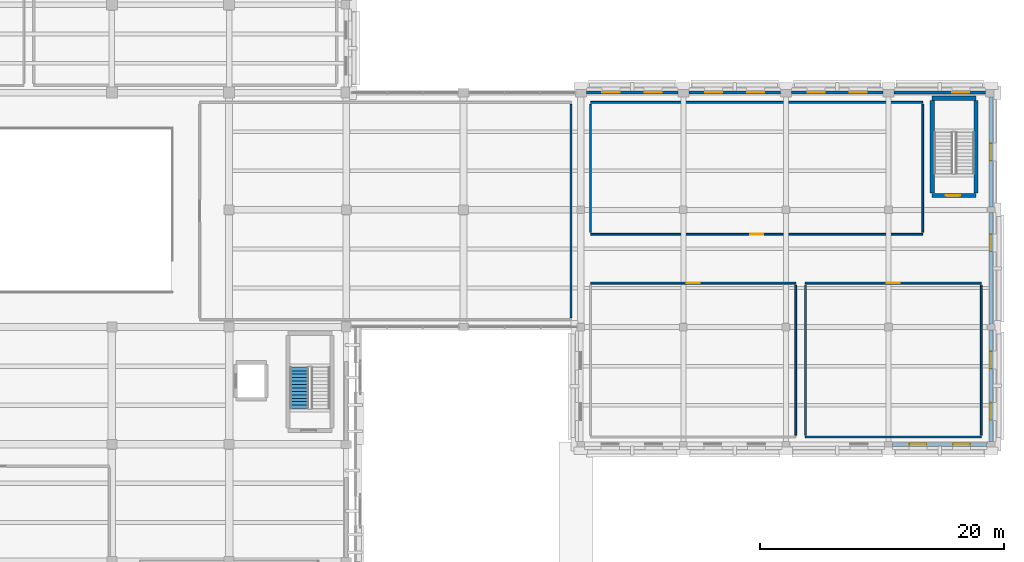
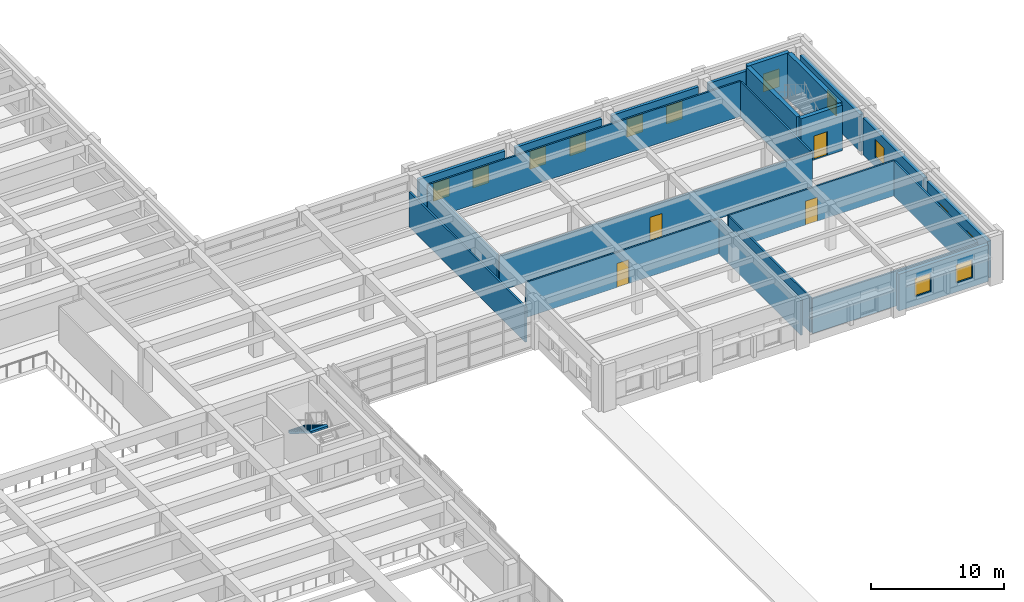
# One storey, part 36 of 49: 23 walls, 13 windows, 4 doors, 1 stair flight, 17 openings, 1 element without a shape of its own.
"""IFC4 building model written with IfcOpenShell, lengths in metres."""

from ifc_helpers import new_model, si_unit, direction, frame, frame_2d, origin, place, context, subcontext, project, spatial, polyline, rectangle, outline, extrude, material, layer, layer_set, type_object, element, fill, aggregate, save


model = new_model("IFC4")

# Units and contexts
model_context = context("Model", 3, precision=1e-05, world=origin(), true_north=direction((0.0, 1.0)))
body_context = subcontext(model_context, "Body", "Model", "MODEL_VIEW")
ifc_project = project(units=[si_unit("LENGTHUNIT", "METRE"), si_unit("AREAUNIT", "SQUARE_METRE"), si_unit("VOLUMEUNIT", "CUBIC_METRE"), si_unit("PLANEANGLEUNIT", "RADIAN"), si_unit("MASSUNIT", "GRAM", prefix="KILO")], contexts=[model_context])

# Site, building, storey
site_placement = place(None, origin())
site = spatial("IfcSite", under=ifc_project, at=site_placement, CompositionType="ELEMENT")
building_placement = place(site_placement, origin())
building = spatial("IfcBuilding", under=site, at=building_placement, Name="Bempovik Park Faculty of Sciences", CompositionType="ELEMENT")
storey_placement = place(building_placement, frame((0.0, 0.0, 5.39990234375)))
storey = spatial("IfcBuildingStorey", under=building, at=storey_placement, Name="L01", CompositionType="ELEMENT", Elevation=5.39990234375)

# Wall
ifc_material_1 = material(Name="Gypsum acoustic stud assembly")
ifc_layer_1 = layer(ifc_material_1, 0.14990234375)
ifc_layer_set_1 = layer_set([ifc_layer_1], Name="Gypsum acoustic stud assembly")
wall_type_1 = type_object("IfcWallType", Name="W-42 Wall 150mm", PredefinedType="PARTITIONING", material=ifc_layer_set_1)
wall_1_placement = place(storey_placement, frame((136.0, 68.56005859375, 0.0), z_axis=(0.0, 0.0, 1.0), x_axis=(0.0, 1.0, 0.0)))
element("IfcWall", 1, at=wall_1_placement, inside=storey, type_object=wall_type_1, Name="L01 Atrium Concourse Study Gallery East Partition East", PredefinedType="PARTITIONING", context=body_context, shape_type="SweptSolid", body=[
    extrude(rectangle(XDim=17.47998046875, YDim=0.14990234375, at=frame_2d((8.739990234375, 0.0))), origin(), (0.0, 0.0, 1.0), 3.22021484375),
])

# Wall, opening, door
wall_2_placement = place(storey_placement, frame((137.60009765625, 71.39990234375, 0.0), z_axis=(0.0, 0.0, 1.0), x_axis=(1.0, 0.0, 0.0)))
wall_2 = element("IfcWall", 2, at=wall_2_placement, inside=storey, type_object=wall_type_1, Name="L01 East Wing Seminar Room A Partition North", PredefinedType="PARTITIONING", context=body_context, shape_type="SweptSolid", body=[
    extrude(rectangle(XDim=16.7998046875, YDim=0.14990234375, at=frame_2d((8.39990234375, 0.0))), origin(), (0.0, 0.0, 1.0), 3.22021484375),
])
opening_1_placement = place(wall_2_placement, frame((7.875, 0.0, 0.0)))
opening_1 = element("IfcOpeningElement", 3, at=opening_1_placement, cuts=wall_2, Name="Opening D-16", PredefinedType="OPENING", context=body_context, shape_type="SweptSolid", body=[
    extrude(rectangle(XDim=1.050048828125, YDim=2.199951171875, at=frame_2d((0.52490234375, 1.10009765625))), frame((0.0, 0.0849609375, 0.0), z_axis=(0.0, -1.0, 0.0), x_axis=(1.0, 0.0, 0.0)), (0.0, 0.0, 1.0), 0.169921875),
])
ifc_material_2 = material(Name="West African hardwood finish", Category="wood")
door_type_1 = type_object("IfcDoorType", Name="D-16 Door 1050x2200", OperationType="NOTDEFINED", PredefinedType="DOOR", material=ifc_material_2)
door_1_placement = place(opening_1_placement, origin())
door_1 = element("IfcDoor", 4, at=door_1_placement, inside=storey, type_object=door_type_1, Name="L01 East Wing Seminar Room A Door", OperationType="SINGLE_SWING_RIGHT", OverallHeight=2.199951171875, OverallWidth=1.050048828125, PredefinedType="DOOR", context=body_context, shape_type="SweptSolid", body=[
    extrude(rectangle(XDim=1.050048828125, YDim=2.199951171875, at=frame_2d((0.52490234375, 1.10009765625))), frame((0.0, 0.02490234375, 0.0), z_axis=(0.0, -1.0, 0.0), x_axis=(1.0, 0.0, 0.0)), (0.0, 0.0, 1.0), 0.050048828125),
])
fill(opening_1, door_1)

# Walls
wall_3_placement = place(storey_placement, frame((154.39990234375, 58.9599609375, 0.0), z_axis=(0.0, 0.0, 1.0), x_axis=(0.0, 1.0, 0.0)))
element("IfcWall", 5, at=wall_3_placement, inside=storey, type_object=wall_type_1, Name="L01 East Wing Seminar Room A Partition East", PredefinedType="PARTITIONING", context=body_context, shape_type="SweptSolid", body=[
    extrude(rectangle(XDim=12.280029296875, YDim=0.14990234375, at=frame_2d((6.14013671875, 0.0))), origin(), (0.0, 0.0, 1.0), 3.22021484375),
])
wall_4_placement = place(storey_placement, frame((155.199951171875, 58.800048828125, 0.0), z_axis=(0.0, 0.0, 1.0), x_axis=(1.0, 0.0, 0.0)))
element("IfcWall", 6, at=wall_4_placement, inside=storey, type_object=wall_type_1, Name="L01 East Wing Seminar Room B Partition South", PredefinedType="PARTITIONING", context=body_context, shape_type="SweptSolid", body=[
    extrude(rectangle(XDim=14.400146484375, YDim=0.14990234375, at=frame_2d((7.2001953125, 0.0))), origin(), (0.0, 0.0, 1.0), 3.22021484375),
])

# Wall, opening, door
wall_5_placement = place(storey_placement, frame((155.199951171875, 71.39990234375, 0.0), z_axis=(0.0, 0.0, 1.0), x_axis=(1.0, 0.0, 0.0)))
wall_5 = element("IfcWall", 7, at=wall_5_placement, inside=storey, type_object=wall_type_1, Name="L01 East Wing Seminar Room B Partition North", PredefinedType="PARTITIONING", context=body_context, shape_type="SweptSolid", body=[
    extrude(rectangle(XDim=14.400146484375, YDim=0.14990234375, at=frame_2d((7.2001953125, 0.0))), origin(), (0.0, 0.0, 1.0), 3.22021484375),
])
opening_2_placement = place(wall_5_placement, frame((6.675048828125, 0.0, 0.0)))
opening_2 = element("IfcOpeningElement", 8, at=opening_2_placement, cuts=wall_5, Name="Opening D-16", PredefinedType="OPENING", context=body_context, shape_type="SweptSolid", body=[
    extrude(rectangle(XDim=1.050048828125, YDim=2.199951171875, at=frame_2d((0.52490234375, 1.10009765625))), frame((0.0, 0.0849609375, 0.0), z_axis=(0.0, -1.0, 0.0), x_axis=(1.0, 0.0, 0.0)), (0.0, 0.0, 1.0), 0.169921875),
])
door_2_placement = place(opening_2_placement, origin())
door_2 = element("IfcDoor", 9, at=door_2_placement, inside=storey, type_object=door_type_1, Name="L01 East Wing Seminar Room B Door", OperationType="SINGLE_SWING_LEFT", OverallHeight=2.199951171875, OverallWidth=1.050048828125, PredefinedType="DOOR", context=body_context, shape_type="SweptSolid", body=[
    extrude(rectangle(XDim=1.050048828125, YDim=2.199951171875, at=frame_2d((0.52490234375, 1.10009765625))), frame((0.0, 0.02490234375, 0.0), z_axis=(0.0, -1.0, 0.0), x_axis=(1.0, 0.0, 0.0)), (0.0, 0.0, 1.0), 0.050048828125),
])
fill(opening_2, door_2)

# Walls
for number, where, z_axis, x_axis, name in (
    (10, (155.199951171875, 58.9599609375, 0.0), (0.0, 0.0, 1.0), (0.0, 1.0, 0.0), "L01 East Wing Seminar Room B Partition West"),
    (11, (169.60009765625, 58.9599609375, 0.0), (0.0, 0.0, 1.0), (0.0, 1.0, 0.0), "L01 East Wing Seminar Room B Partition East"),
):
    element("IfcWall", number, at=place(storey_placement, frame(where, z_axis=z_axis, x_axis=x_axis)), inside=storey, type_object=wall_type_1, Name=name, PredefinedType="PARTITIONING", context=body_context, shape_type="SweptSolid", body=[
        extrude(rectangle(XDim=12.280029296875, YDim=0.14990234375, at=frame_2d((6.14013671875, 0.0))), origin(), (0.0, 0.0, 1.0), 3.22021484375),
    ])

# Wall, opening, door
wall_6_placement = place(storey_placement, frame((137.60009765625, 75.39990234375, 0.0), z_axis=(0.0, 0.0, 1.0), x_axis=(1.0, 0.0, 0.0)))
wall_6 = element("IfcWall", 12, at=wall_6_placement, inside=storey, type_object=wall_type_1, Name="L01 Graduate Statistics Tutorial Room Partition South", PredefinedType="PARTITIONING", context=body_context, shape_type="SweptSolid", body=[
    extrude(rectangle(XDim=27.199951171875, YDim=0.14990234375, at=frame_2d((13.60009765625, 0.0))), origin(), (0.0, 0.0, 1.0), 3.22021484375),
])
opening_3_placement = place(wall_6_placement, frame((13.074951171875, 0.0, 0.0)))
opening_3 = element("IfcOpeningElement", 13, at=opening_3_placement, cuts=wall_6, Name="Opening D-16", PredefinedType="OPENING", context=body_context, shape_type="SweptSolid", body=[
    extrude(rectangle(XDim=1.050048828125, YDim=2.199951171875, at=frame_2d((0.52490234375, 1.10009765625))), frame((0.0, 0.0849609375, 0.0), z_axis=(0.0, -1.0, 0.0), x_axis=(1.0, 0.0, 0.0)), (0.0, 0.0, 1.0), 0.169921875),
])
door_3_placement = place(opening_3_placement, origin())
door_3 = element("IfcDoor", 14, at=door_3_placement, inside=storey, type_object=door_type_1, Name="L01 Graduate Statistics Tutorial Room Door", OperationType="SINGLE_SWING_RIGHT", OverallHeight=2.199951171875, OverallWidth=1.050048828125, PredefinedType="DOOR", context=body_context, shape_type="SweptSolid", body=[
    extrude(rectangle(XDim=1.050048828125, YDim=2.199951171875, at=frame_2d((0.52490234375, 1.10009765625))), frame((0.0, 0.02490234375, 0.0), z_axis=(0.0, -1.0, 0.0), x_axis=(1.0, 0.0, 0.0)), (0.0, 0.0, 1.0), 0.050048828125),
])
fill(opening_3, door_3)

# Walls
wall_7_placement = place(storey_placement, frame((137.60009765625, 86.199951171875, 0.0), z_axis=(0.0, 0.0, 1.0), x_axis=(1.0, 0.0, 0.0)))
element("IfcWall", 15, at=wall_7_placement, inside=storey, type_object=wall_type_1, Name="L01 Graduate Statistics Tutorial Room Partition North", PredefinedType="PARTITIONING", context=body_context, shape_type="SweptSolid", body=[
    extrude(rectangle(XDim=27.199951171875, YDim=0.14990234375, at=frame_2d((13.60009765625, 0.0))), origin(), (0.0, 0.0, 1.0), 3.22021484375),
])
for number, where, z_axis, x_axis, name in (
    (16, (137.60009765625, 75.56005859375, 0.0), (0.0, 0.0, 1.0), (0.0, 1.0, 0.0), "L01 Graduate Statistics Tutorial Room Partition West"),
    (17, (164.800048828125, 75.56005859375, 0.0), (0.0, 0.0, 1.0), (0.0, 1.0, 0.0), "L01 Graduate Statistics Tutorial Room Partition East"),
):
    element("IfcWall", number, at=place(storey_placement, frame(where, z_axis=z_axis, x_axis=x_axis)), inside=storey, type_object=wall_type_1, Name=name, PredefinedType="PARTITIONING", context=body_context, shape_type="SweptSolid", body=[
        extrude(rectangle(XDim=10.47998046875, YDim=0.14990234375, at=frame_2d((5.239990234375, 0.0))), origin(), (0.0, 0.0, 1.0), 3.22021484375),
    ])

# Wall, opening, door
ifc_material_3 = material(Name="Concrete C40/50", Category="concrete")
ifc_layer_2 = layer(ifc_material_3, 0.35009765625)
ifc_layer_set_2 = layer_set([ifc_layer_2], Name="Concrete C40/50")
wall_type_2 = type_object("IfcWallType", Name="W-46 Wall 350mm", PredefinedType="SHEAR", material=ifc_layer_set_2)
wall_8_placement = place(storey_placement, frame((165.574951171875, 78.574951171875, 0.0), z_axis=(0.0, 0.0, 1.0), x_axis=(1.0, 0.0, 0.0)))
wall_8 = element("IfcWall", 18, at=wall_8_placement, inside=storey, type_object=wall_type_2, Name="ST-6 L01 Core Shear Wall South", PredefinedType="SHEAR", context=body_context, shape_type="SweptSolid", body=[
    extrude(rectangle(XDim=3.60009765625, YDim=0.35009765625, at=frame_2d((1.800048828125, 0.0))), origin(), (0.0, 0.0, 1.0), 4.18017578125),
])
opening_4_placement = place(wall_8_placement, frame((1.10009765625, 0.0, 0.0)))
opening_4 = element("IfcOpeningElement", 19, at=opening_4_placement, cuts=wall_8, Name="Opening D-49", PredefinedType="OPENING", context=body_context, shape_type="SweptSolid", body=[
    extrude(rectangle(XDim=1.199951171875, YDim=2.199951171875, at=frame_2d((0.60009765625, 1.10009765625))), frame((0.0, 0.18505859375, 0.0), z_axis=(0.0, -1.0, 0.0), x_axis=(1.0, 0.0, 0.0)), (0.0, 0.0, 1.0), 0.3701171875),
])
ifc_material_4 = material(Name="Painted steel S355", Category="steel")
door_type_2 = type_object("IfcDoorType", Name="D-49 Door 1200x2200", OperationType="NOTDEFINED", PredefinedType="DOOR", material=ifc_material_4)
door_4_placement = place(opening_4_placement, origin())
door_4 = element("IfcDoor", 20, at=door_4_placement, inside=storey, type_object=door_type_2, Name="ST-6 L01 Protected Stair Smoke Door", OperationType="SINGLE_SWING_RIGHT", OverallHeight=2.199951171875, OverallWidth=1.199951171875, PredefinedType="DOOR", context=body_context, shape_type="SweptSolid", body=[
    extrude(rectangle(XDim=1.199951171875, YDim=2.199951171875, at=frame_2d((0.60009765625, 1.10009765625))), frame((0.0, 0.02490234375, 0.0), z_axis=(0.0, -1.0, 0.0), x_axis=(1.0, 0.0, 0.0)), (0.0, 0.0, 1.0), 0.050048828125),
])
fill(opening_4, door_4)

# Walls
for number, where, z_axis, x_axis, name in (
    (21, (165.574951171875, 78.77490234375, 0.0), (0.0, 0.0, 1.0), (0.0, 1.0, 0.0), "ST-6 L01 Core Shear Wall West"),
    (22, (169.175048828125, 78.77490234375, 0.0), (0.0, 0.0, 1.0), (0.0, 1.0, 0.0), "ST-6 L01 Core Shear Wall East"),
):
    element("IfcWall", number, at=place(storey_placement, frame(where, z_axis=z_axis, x_axis=x_axis)), inside=storey, type_object=wall_type_2, Name=name, PredefinedType="SHEAR", context=body_context, shape_type="SweptSolid", body=[
        extrude(rectangle(XDim=7.5751953125, YDim=0.35009765625, at=frame_2d((3.78759765625, 0.0))), origin(), (0.0, 0.0, 1.0), 4.18017578125),
    ])
wall_9_placement = place(storey_placement, frame((165.574951171875, 86.550048828125, 0.0), z_axis=(0.0, 0.0, 1.0), x_axis=(1.0, 0.0, 0.0)))
element("IfcWall", 23, at=wall_9_placement, inside=storey, type_object=wall_type_2, Name="ST-6 L01 Core Shear Wall North", PredefinedType="SHEAR", context=body_context, shape_type="SweptSolid", body=[
    extrude(rectangle(XDim=3.60009765625, YDim=0.35009765625, at=frame_2d((1.800048828125, 0.0))), origin(), (0.0, 0.0, 1.0), 4.18017578125),
])

# Wall, openings, windows
ifc_material_5 = material(Name="Precast concrete C40/50", Category="concrete")
ifc_layer_3 = layer(ifc_material_5, 0.260009765625)
ifc_layer_set_3 = layer_set([ifc_layer_3], Name="Precast concrete C40/50")
wall_type_3 = type_object("IfcWallType", Name="W-54 Wall 260mm", PredefinedType="SOLIDWALL", material=ifc_layer_set_3)
wall_10_placement = place(storey_placement, frame((137.251953125, 87.0, 0.0), z_axis=(0.0, 0.0, 1.0), x_axis=(1.0, 0.0, 0.0)))
wall_10 = element("IfcWall", 24, at=wall_10_placement, inside=storey, type_object=wall_type_3, Name="L01 Classical Precast Facade Wall EW-L01-6810", PredefinedType="SOLIDWALL", context=body_context, shape_type="SweptSolid", body=[
    extrude(rectangle(XDim=7.49609375, YDim=0.260009765625, at=frame_2d((3.748046875, 0.0))), origin(), (0.0, 0.0, 1.0), 3.380126953125),
])
opening_5_placement = place(wall_10_placement, frame((1.323974609375, 0.0, 0.85009765625)))
opening_5 = element("IfcOpeningElement", 25, at=opening_5_placement, cuts=wall_10, Name="Opening WN-84", PredefinedType="OPENING", context=body_context, shape_type="SweptSolid", body=[
    extrude(rectangle(XDim=1.39990234375, YDim=1.64990234375, at=frame_2d((0.699951171875, 0.824951171875))), frame((0.0, 0.14013671875, 0.0), z_axis=(0.0, -1.0, 0.0), x_axis=(1.0, 0.0, 0.0)), (0.0, 0.0, 1.0), 0.280029296875),
])
opening_6_placement = place(wall_10_placement, frame((4.772216796875, 0.0, 0.85009765625)))
opening_6 = element("IfcOpeningElement", 26, at=opening_6_placement, cuts=wall_10, Name="Opening WN-84", PredefinedType="OPENING", context=body_context, shape_type="SweptSolid", body=[
    extrude(rectangle(XDim=1.39990234375, YDim=1.64990234375, at=frame_2d((0.699951171875, 0.824951171875))), frame((0.0, 0.14013671875, 0.0), z_axis=(0.0, -1.0, 0.0), x_axis=(1.0, 0.0, 0.0)), (0.0, 0.0, 1.0), 0.280029296875),
])
ifc_material_6 = material(Name="Tempered laminated low-E glass", Category="glass")
window_type = type_object("IfcWindowType", Name="WN-84 Window 1400x1650", PartitioningType="SINGLE_PANEL", PredefinedType="WINDOW", material=ifc_material_6)
window_1_placement = place(opening_5_placement, origin())
window_1 = element("IfcWindow", 27, at=window_1_placement, inside=storey, type_object=window_type, Name="L01 Window EW-L01-6810-1", OverallHeight=1.64990234375, OverallWidth=1.39990234375, PartitioningType="SINGLE_PANEL", PredefinedType="WINDOW", context=body_context, shape_type="SweptSolid", body=[
    extrude(rectangle(XDim=1.39990234375, YDim=1.64990234375, at=frame_2d((0.699951171875, 0.824951171875))), frame((0.0, 0.030029296875, 0.0), z_axis=(0.0, -1.0, 0.0), x_axis=(1.0, 0.0, 0.0)), (0.0, 0.0, 1.0), 0.06005859375),
])
fill(opening_5, window_1)
window_2_placement = place(opening_6_placement, origin())
window_2 = element("IfcWindow", 28, at=window_2_placement, inside=storey, type_object=window_type, Name="L01 Window EW-L01-6810-2", OverallHeight=1.64990234375, OverallWidth=1.39990234375, PartitioningType="SINGLE_PANEL", PredefinedType="WINDOW", context=body_context, shape_type="SweptSolid", body=[
    extrude(rectangle(XDim=1.39990234375, YDim=1.64990234375, at=frame_2d((0.699951171875, 0.824951171875))), frame((0.0, 0.030029296875, 0.0), z_axis=(0.0, -1.0, 0.0), x_axis=(1.0, 0.0, 0.0)), (0.0, 0.0, 1.0), 0.06005859375),
])
fill(opening_6, window_2)

wall_11_placement = place(storey_placement, frame((145.652099609375, 87.0, 0.0), z_axis=(0.0, 0.0, 1.0), x_axis=(1.0, 0.0, 0.0)))
wall_11 = element("IfcWall", 29, at=wall_11_placement, inside=storey, type_object=wall_type_3, Name="L01 Classical Precast Facade Wall EW-L01-6823", PredefinedType="SOLIDWALL", context=body_context, shape_type="SweptSolid", body=[
    extrude(rectangle(XDim=7.495849609375, YDim=0.260009765625, at=frame_2d((3.748046875, 0.0))), origin(), (0.0, 0.0, 1.0), 3.380126953125),
])
opening_7_placement = place(wall_11_placement, frame((1.323974609375, 0.0, 0.85009765625)))
opening_7 = element("IfcOpeningElement", 30, at=opening_7_placement, cuts=wall_11, Name="Opening WN-84", PredefinedType="OPENING", context=body_context, shape_type="SweptSolid", body=[
    extrude(rectangle(XDim=1.39990234375, YDim=1.64990234375, at=frame_2d((0.699951171875, 0.824951171875))), frame((0.0, 0.14013671875, 0.0), z_axis=(0.0, -1.0, 0.0), x_axis=(1.0, 0.0, 0.0)), (0.0, 0.0, 1.0), 0.280029296875),
])
opening_8_placement = place(wall_11_placement, frame((4.772216796875, 0.0, 0.85009765625)))
opening_8 = element("IfcOpeningElement", 31, at=opening_8_placement, cuts=wall_11, Name="Opening WN-84", PredefinedType="OPENING", context=body_context, shape_type="SweptSolid", body=[
    extrude(rectangle(XDim=1.39990234375, YDim=1.64990234375, at=frame_2d((0.699951171875, 0.824951171875))), frame((0.0, 0.14013671875, 0.0), z_axis=(0.0, -1.0, 0.0), x_axis=(1.0, 0.0, 0.0)), (0.0, 0.0, 1.0), 0.280029296875),
])
window_3_placement = place(opening_7_placement, origin())
window_3 = element("IfcWindow", 32, at=window_3_placement, inside=storey, type_object=window_type, Name="L01 Window EW-L01-6823-1", OverallHeight=1.64990234375, OverallWidth=1.39990234375, PartitioningType="SINGLE_PANEL", PredefinedType="WINDOW", context=body_context, shape_type="SweptSolid", body=[
    extrude(rectangle(XDim=1.39990234375, YDim=1.64990234375, at=frame_2d((0.699951171875, 0.824951171875))), frame((0.0, 0.030029296875, 0.0), z_axis=(0.0, -1.0, 0.0), x_axis=(1.0, 0.0, 0.0)), (0.0, 0.0, 1.0), 0.06005859375),
])
fill(opening_7, window_3)
window_4_placement = place(opening_8_placement, origin())
window_4 = element("IfcWindow", 33, at=window_4_placement, inside=storey, type_object=window_type, Name="L01 Window EW-L01-6823-2", OverallHeight=1.64990234375, OverallWidth=1.39990234375, PartitioningType="SINGLE_PANEL", PredefinedType="WINDOW", context=body_context, shape_type="SweptSolid", body=[
    extrude(rectangle(XDim=1.39990234375, YDim=1.64990234375, at=frame_2d((0.699951171875, 0.824951171875))), frame((0.0, 0.030029296875, 0.0), z_axis=(0.0, -1.0, 0.0), x_axis=(1.0, 0.0, 0.0)), (0.0, 0.0, 1.0), 0.06005859375),
])
fill(opening_8, window_4)

wall_12_placement = place(storey_placement, frame((154.052001953125, 87.0, 0.0), z_axis=(0.0, 0.0, 1.0), x_axis=(1.0, 0.0, 0.0)))
wall_12 = element("IfcWall", 34, at=wall_12_placement, inside=storey, type_object=wall_type_3, Name="L01 Classical Precast Facade Wall EW-L01-6835", PredefinedType="SOLIDWALL", context=body_context, shape_type="SweptSolid", body=[
    extrude(rectangle(XDim=7.49609375, YDim=0.260009765625, at=frame_2d((3.748046875, 0.0))), origin(), (0.0, 0.0, 1.0), 3.380126953125),
])
opening_9_placement = place(wall_12_placement, frame((1.323974609375, 0.0, 0.85009765625)))
opening_9 = element("IfcOpeningElement", 35, at=opening_9_placement, cuts=wall_12, Name="Opening WN-84", PredefinedType="OPENING", context=body_context, shape_type="SweptSolid", body=[
    extrude(rectangle(XDim=1.39990234375, YDim=1.64990234375, at=frame_2d((0.699951171875, 0.824951171875))), frame((0.0, 0.14013671875, 0.0), z_axis=(0.0, -1.0, 0.0), x_axis=(1.0, 0.0, 0.0)), (0.0, 0.0, 1.0), 0.280029296875),
])
opening_10_placement = place(wall_12_placement, frame((4.772216796875, 0.0, 0.85009765625)))
opening_10 = element("IfcOpeningElement", 36, at=opening_10_placement, cuts=wall_12, Name="Opening WN-84", PredefinedType="OPENING", context=body_context, shape_type="SweptSolid", body=[
    extrude(rectangle(XDim=1.39990234375, YDim=1.64990234375, at=frame_2d((0.699951171875, 0.824951171875))), frame((0.0, 0.14013671875, 0.0), z_axis=(0.0, -1.0, 0.0), x_axis=(1.0, 0.0, 0.0)), (0.0, 0.0, 1.0), 0.280029296875),
])
window_5_placement = place(opening_9_placement, origin())
window_5 = element("IfcWindow", 37, at=window_5_placement, inside=storey, type_object=window_type, Name="L01 Window EW-L01-6835-1", OverallHeight=1.64990234375, OverallWidth=1.39990234375, PartitioningType="SINGLE_PANEL", PredefinedType="WINDOW", context=body_context, shape_type="SweptSolid", body=[
    extrude(rectangle(XDim=1.39990234375, YDim=1.64990234375, at=frame_2d((0.699951171875, 0.824951171875))), frame((0.0, 0.030029296875, 0.0), z_axis=(0.0, -1.0, 0.0), x_axis=(1.0, 0.0, 0.0)), (0.0, 0.0, 1.0), 0.06005859375),
])
fill(opening_9, window_5)
window_6_placement = place(opening_10_placement, origin())
window_6 = element("IfcWindow", 38, at=window_6_placement, inside=storey, type_object=window_type, Name="L01 Window EW-L01-6835-2", OverallHeight=1.64990234375, OverallWidth=1.39990234375, PartitioningType="SINGLE_PANEL", PredefinedType="WINDOW", context=body_context, shape_type="SweptSolid", body=[
    extrude(rectangle(XDim=1.39990234375, YDim=1.64990234375, at=frame_2d((0.699951171875, 0.824951171875))), frame((0.0, 0.030029296875, 0.0), z_axis=(0.0, -1.0, 0.0), x_axis=(1.0, 0.0, 0.0)), (0.0, 0.0, 1.0), 0.06005859375),
])
fill(opening_10, window_6)

# Wall, opening, window
wall_13_placement = place(storey_placement, frame((162.451904296875, 87.0, 0.0), z_axis=(0.0, 0.0, 1.0), x_axis=(1.0, 0.0, 0.0)))
wall_13 = element("IfcWall", 39, at=wall_13_placement, inside=storey, type_object=wall_type_3, Name="L01 Classical Precast Facade Wall EW-L01-6847", PredefinedType="SOLIDWALL", context=body_context, shape_type="SweptSolid", body=[
    extrude(rectangle(XDim=7.49609375, YDim=0.260009765625, at=frame_2d((3.748046875, 0.0))), origin(), (0.0, 0.0, 1.0), 3.380126953125),
])
opening_11_placement = place(wall_13_placement, frame((4.772216796875, 0.0, 0.85009765625)))
opening_11 = element("IfcOpeningElement", 40, at=opening_11_placement, cuts=wall_13, Name="Opening WN-84", PredefinedType="OPENING", context=body_context, shape_type="SweptSolid", body=[
    extrude(rectangle(XDim=1.39990234375, YDim=1.64990234375, at=frame_2d((0.699951171875, 0.824951171875))), frame((0.0, 0.14013671875, 0.0), z_axis=(0.0, -1.0, 0.0), x_axis=(1.0, 0.0, 0.0)), (0.0, 0.0, 1.0), 0.280029296875),
])
window_7_placement = place(opening_11_placement, origin())
window_7 = element("IfcWindow", 41, at=window_7_placement, inside=storey, type_object=window_type, Name="L01 Window EW-L01-6847-2", OverallHeight=1.64990234375, OverallWidth=1.39990234375, PartitioningType="SINGLE_PANEL", PredefinedType="WINDOW", context=body_context, shape_type="SweptSolid", body=[
    extrude(rectangle(XDim=1.39990234375, YDim=1.64990234375, at=frame_2d((0.699951171875, 0.824951171875))), frame((0.0, 0.030029296875, 0.0), z_axis=(0.0, -1.0, 0.0), x_axis=(1.0, 0.0, 0.0)), (0.0, 0.0, 1.0), 0.06005859375),
])
fill(opening_11, window_7)

# Wall, openings, windows
ifc_layer_4 = layer(ifc_material_5, 0.320068359375)
ifc_layer_set_4 = layer_set([ifc_layer_4], Name="Precast concrete C40/50")
wall_type_4 = type_object("IfcWallType", Name="W-56 Wall 320mm", PredefinedType="SOLIDWALL", material=ifc_layer_set_4)
wall_14_placement = place(storey_placement, frame((170.39990234375, 58.431884765625, 0.0), z_axis=(0.0, 0.0, 1.0), x_axis=(0.0, 1.0, 0.0)))
wall_14 = element("IfcWall", 42, at=wall_14_placement, inside=storey, type_object=wall_type_4, Name="L01 Classical Precast Facade Wall EW-L01-6857", PredefinedType="SOLIDWALL", context=body_context, shape_type="SweptSolid", body=[
    extrude(rectangle(XDim=9.13623046875, YDim=0.320068359375, at=frame_2d((4.568115234375, 0.0))), origin(), (0.0, 0.0, 1.0), 3.380126953125),
])
opening_12_placement = place(wall_14_placement, frame((1.7666015625, 0.0, 0.85009765625)))
opening_12 = element("IfcOpeningElement", 43, at=opening_12_placement, cuts=wall_14, Name="Opening WN-84", PredefinedType="OPENING", context=body_context, shape_type="SweptSolid", body=[
    extrude(rectangle(XDim=1.39990234375, YDim=1.64990234375, at=frame_2d((0.699951171875, 0.824951171875))), frame((0.0, 0.169921875, 0.0), z_axis=(0.0, -1.0, 0.0), x_axis=(1.0, 0.0, 0.0)), (0.0, 0.0, 1.0), 0.340087890625),
])
opening_13_placement = place(wall_14_placement, frame((5.96923828125, 0.0, 0.85009765625)))
opening_13 = element("IfcOpeningElement", 44, at=opening_13_placement, cuts=wall_14, Name="Opening WN-84", PredefinedType="OPENING", context=body_context, shape_type="SweptSolid", body=[
    extrude(rectangle(XDim=1.39990234375, YDim=1.64990234375, at=frame_2d((0.699951171875, 0.824951171875))), frame((0.0, 0.169921875, 0.0), z_axis=(0.0, -1.0, 0.0), x_axis=(1.0, 0.0, 0.0)), (0.0, 0.0, 1.0), 0.340087890625),
])
window_8_placement = place(opening_12_placement, origin())
window_8 = element("IfcWindow", 45, at=window_8_placement, inside=storey, type_object=window_type, Name="L01 Window EW-L01-6857-1", OverallHeight=1.64990234375, OverallWidth=1.39990234375, PartitioningType="SINGLE_PANEL", PredefinedType="WINDOW", context=body_context, shape_type="SweptSolid", body=[
    extrude(rectangle(XDim=1.39990234375, YDim=1.64990234375, at=frame_2d((0.699951171875, 0.824951171875))), frame((0.0, 0.030029296875, 0.0), z_axis=(0.0, -1.0, 0.0), x_axis=(1.0, 0.0, 0.0)), (0.0, 0.0, 1.0), 0.06005859375),
])
fill(opening_12, window_8)
window_9_placement = place(opening_13_placement, origin())
window_9 = element("IfcWindow", 46, at=window_9_placement, inside=storey, type_object=window_type, Name="L01 Window EW-L01-6857-2", OverallHeight=1.64990234375, OverallWidth=1.39990234375, PartitioningType="SINGLE_PANEL", PredefinedType="WINDOW", context=body_context, shape_type="SweptSolid", body=[
    extrude(rectangle(XDim=1.39990234375, YDim=1.64990234375, at=frame_2d((0.699951171875, 0.824951171875))), frame((0.0, 0.030029296875, 0.0), z_axis=(0.0, -1.0, 0.0), x_axis=(1.0, 0.0, 0.0)), (0.0, 0.0, 1.0), 0.06005859375),
])
fill(opening_13, window_9)

# Wall, opening, window
wall_15_placement = place(storey_placement, frame((170.39990234375, 68.031982421875, 0.0), z_axis=(0.0, 0.0, 1.0), x_axis=(0.0, 1.0, 0.0)))
wall_15 = element("IfcWall", 47, at=wall_15_placement, inside=storey, type_object=wall_type_4, Name="L01 Classical Precast Facade Wall EW-L01-6870", PredefinedType="SOLIDWALL", context=body_context, shape_type="SweptSolid", body=[
    extrude(rectangle(XDim=9.135986328125, YDim=0.320068359375, at=frame_2d((4.56787109375, 0.0))), origin(), (0.0, 0.0, 1.0), 3.380126953125),
])
opening_14_placement = place(wall_15_placement, frame((5.96923828125, 0.0, 0.85009765625)))
opening_14 = element("IfcOpeningElement", 48, at=opening_14_placement, cuts=wall_15, Name="Opening WN-84", PredefinedType="OPENING", context=body_context, shape_type="SweptSolid", body=[
    extrude(rectangle(XDim=1.39990234375, YDim=1.64990234375, at=frame_2d((0.699951171875, 0.824951171875))), frame((0.0, 0.169921875, 0.0), z_axis=(0.0, -1.0, 0.0), x_axis=(1.0, 0.0, 0.0)), (0.0, 0.0, 1.0), 0.340087890625),
])
window_10_placement = place(opening_14_placement, origin())
window_10 = element("IfcWindow", 49, at=window_10_placement, inside=storey, type_object=window_type, Name="L01 Window EW-L01-6870-2", OverallHeight=1.64990234375, OverallWidth=1.39990234375, PartitioningType="SINGLE_PANEL", PredefinedType="WINDOW", context=body_context, shape_type="SweptSolid", body=[
    extrude(rectangle(XDim=1.39990234375, YDim=1.64990234375, at=frame_2d((0.699951171875, 0.824951171875))), frame((0.0, 0.030029296875, 0.0), z_axis=(0.0, -1.0, 0.0), x_axis=(1.0, 0.0, 0.0)), (0.0, 0.0, 1.0), 0.06005859375),
])
fill(opening_14, window_10)

wall_16_placement = place(storey_placement, frame((170.39990234375, 77.632080078125, 0.0), z_axis=(0.0, 0.0, 1.0), x_axis=(0.0, 1.0, 0.0)))
wall_16 = element("IfcWall", 50, at=wall_16_placement, inside=storey, type_object=wall_type_4, Name="L01 Classical Precast Facade Wall EW-L01-6880", PredefinedType="SOLIDWALL", context=body_context, shape_type="SweptSolid", body=[
    extrude(rectangle(XDim=9.015869140625, YDim=0.320068359375, at=frame_2d((4.5078125, 0.0))), origin(), (0.0, 0.0, 1.0), 3.380126953125),
])
opening_15_placement = place(wall_16_placement, frame((3.80810546875, 0.0, 0.89990234375)))
opening_15 = element("IfcOpeningElement", 51, at=opening_15_placement, cuts=wall_16, Name="Opening WN-84", PredefinedType="OPENING", context=body_context, shape_type="SweptSolid", body=[
    extrude(rectangle(XDim=1.39990234375, YDim=1.64990234375, at=frame_2d((0.699951171875, 0.824951171875))), frame((0.0, 0.169921875, 0.0), z_axis=(0.0, -1.0, 0.0), x_axis=(1.0, 0.0, 0.0)), (0.0, 0.0, 1.0), 0.340087890625),
])
window_11_placement = place(opening_15_placement, origin())
window_11 = element("IfcWindow", 52, at=window_11_placement, inside=storey, type_object=window_type, Name="L01 Stairwell Classical Lancet Window EW-L01-6880", OverallHeight=1.64990234375, OverallWidth=1.39990234375, PartitioningType="SINGLE_PANEL", PredefinedType="WINDOW", context=body_context, shape_type="SweptSolid", body=[
    extrude(rectangle(XDim=1.39990234375, YDim=1.64990234375, at=frame_2d((0.699951171875, 0.824951171875))), frame((0.0, 0.030029296875, 0.0), z_axis=(0.0, -1.0, 0.0), x_axis=(1.0, 0.0, 0.0)), (0.0, 0.0, 1.0), 0.06005859375),
])
fill(opening_15, window_11)

# Wall, openings, windows
wall_17_placement = place(storey_placement, frame((162.31201171875, 58.199951171875, 0.0), z_axis=(0.0, 0.0, 1.0), x_axis=(1.0, 0.0, 0.0)))
wall_17 = element("IfcWall", 53, at=wall_17_placement, inside=storey, type_object=wall_type_4, Name="L01 Classical Precast Facade Wall EW-L01-6921", PredefinedType="SOLIDWALL", context=body_context, shape_type="SweptSolid", body=[
    extrude(rectangle(XDim=7.77587890625, YDim=0.320068359375, at=frame_2d((3.887939453125, 0.0))), origin(), (0.0, 0.0, 1.0), 3.380126953125),
])
opening_16_placement = place(wall_17_placement, frame((1.3994140625, 0.0, 0.85009765625)))
opening_16 = element("IfcOpeningElement", 54, at=opening_16_placement, cuts=wall_17, Name="Opening WN-84", PredefinedType="OPENING", context=body_context, shape_type="SweptSolid", body=[
    extrude(rectangle(XDim=1.39990234375, YDim=1.64990234375, at=frame_2d((0.699951171875, 0.824951171875))), frame((0.0, 0.169921875, 0.0), z_axis=(0.0, -1.0, 0.0), x_axis=(1.0, 0.0, 0.0)), (0.0, 0.0, 1.0), 0.340087890625),
])
opening_17_placement = place(wall_17_placement, frame((4.9765625, 0.0, 0.85009765625)))
opening_17 = element("IfcOpeningElement", 55, at=opening_17_placement, cuts=wall_17, Name="Opening WN-84", PredefinedType="OPENING", context=body_context, shape_type="SweptSolid", body=[
    extrude(rectangle(XDim=1.39990234375, YDim=1.64990234375, at=frame_2d((0.699951171875, 0.824951171875))), frame((0.0, 0.169921875, 0.0), z_axis=(0.0, -1.0, 0.0), x_axis=(1.0, 0.0, 0.0)), (0.0, 0.0, 1.0), 0.340087890625),
])
window_12_placement = place(opening_16_placement, origin())
window_12 = element("IfcWindow", 56, at=window_12_placement, inside=storey, type_object=window_type, Name="L01 Window EW-L01-6921-1", OverallHeight=1.64990234375, OverallWidth=1.39990234375, PartitioningType="SINGLE_PANEL", PredefinedType="WINDOW", context=body_context, shape_type="SweptSolid", body=[
    extrude(rectangle(XDim=1.39990234375, YDim=1.64990234375, at=frame_2d((0.699951171875, 0.824951171875))), frame((0.0, 0.030029296875, 0.0), z_axis=(0.0, -1.0, 0.0), x_axis=(1.0, 0.0, 0.0)), (0.0, 0.0, 1.0), 0.06005859375),
])
fill(opening_16, window_12)
window_13_placement = place(opening_17_placement, origin())
window_13 = element("IfcWindow", 57, at=window_13_placement, inside=storey, type_object=window_type, Name="L01 Window EW-L01-6921-2", OverallHeight=1.64990234375, OverallWidth=1.39990234375, PartitioningType="SINGLE_PANEL", PredefinedType="WINDOW", context=body_context, shape_type="SweptSolid", body=[
    extrude(rectangle(XDim=1.39990234375, YDim=1.64990234375, at=frame_2d((0.699951171875, 0.824951171875))), frame((0.0, 0.030029296875, 0.0), z_axis=(0.0, -1.0, 0.0), x_axis=(1.0, 0.0, 0.0)), (0.0, 0.0, 1.0), 0.06005859375),
])
fill(opening_17, window_13)

# Stair, stair flight
ifc_material_7 = material(Name="Concrete C35/45", Category="concrete")
stair_type = type_object("IfcStairType", Name="ST-12 Stair W1500 H4500", PredefinedType="HALF_TURN_STAIR", material=ifc_material_7)
stair_placement = place(storey_placement, origin())
stair = element("IfcStair", 58, at=stair_placement, inside=storey, type_object=stair_type, Name="L01 ST-5 Dog-Leg Exit Stair", PredefinedType="HALF_TURN_STAIR")
stair_flight_type = type_object("IfcStairFlightType", Name="FL-23 Flight W1500 H4500", PredefinedType="STRAIGHT", material=ifc_material_7)
stair_flight_placement = place(storey_placement, frame((113.75, 64.5, 2.25), z_axis=(0.0, 0.0, 1.0), x_axis=(0.0, -1.0, 0.0)))
stair_flight = element("IfcStairFlight", 59, at=stair_flight_placement, type_object=stair_flight_type, Name="ST-12 flight 2", NumberOfRisers=13, NumberOfTreads=12, PredefinedType="STRAIGHT", RiserHeight=0.173076923, TreadLength=0.28125, context=body_context, shape_type="SweptSolid", body=[
    extrude(outline(polyline([(0.0, 0.0), (0.0, 0.173095703125), (0.28125, 0.173095703125), (0.28125, 0.34619140625), (0.5625, 0.34619140625), (0.5625, 0.519287109375), (0.84375, 0.519287109375), (0.84375, 0.6923828125), (1.125, 0.6923828125), (1.125, 0.865478515625), (1.40625, 0.865478515625), (1.40625, 1.03857421875), (1.6875, 1.03857421875), (1.6875, 1.21142578125), (1.96875, 1.21142578125), (1.96875, 1.384521484375), (2.25, 1.384521484375), (2.25, 1.5576171875), (2.53125, 1.5576171875), (2.53125, 1.730712890625), (2.8125, 1.730712890625), (2.8125, 1.90380859375), (3.09375, 1.90380859375), (3.09375, 2.076904296875), (3.375, 2.076904296875), (3.375, 2.25), (3.375, 1.90087890625), (0.2861328125, 0.0), (0.0625, -0.0625), (0.0, -0.0625), (0.0, 0.0)])), frame((0.0, 0.75, 0.0), z_axis=(0.0, -1.0, 0.0), x_axis=(1.0, 0.0, 0.0)), (0.0, 0.0, 1.0), 1.5),
])
aggregate(stair, [stair_flight])

save(model, "model.ifc")
